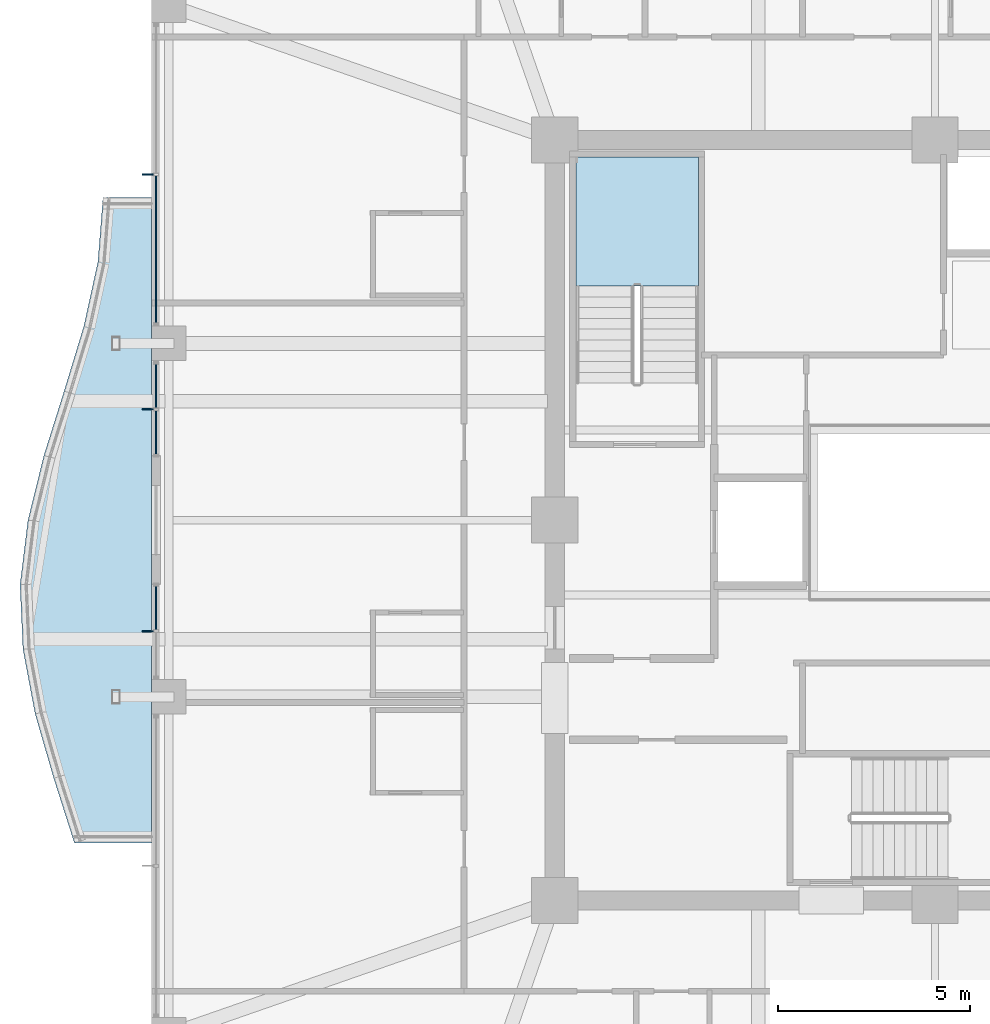
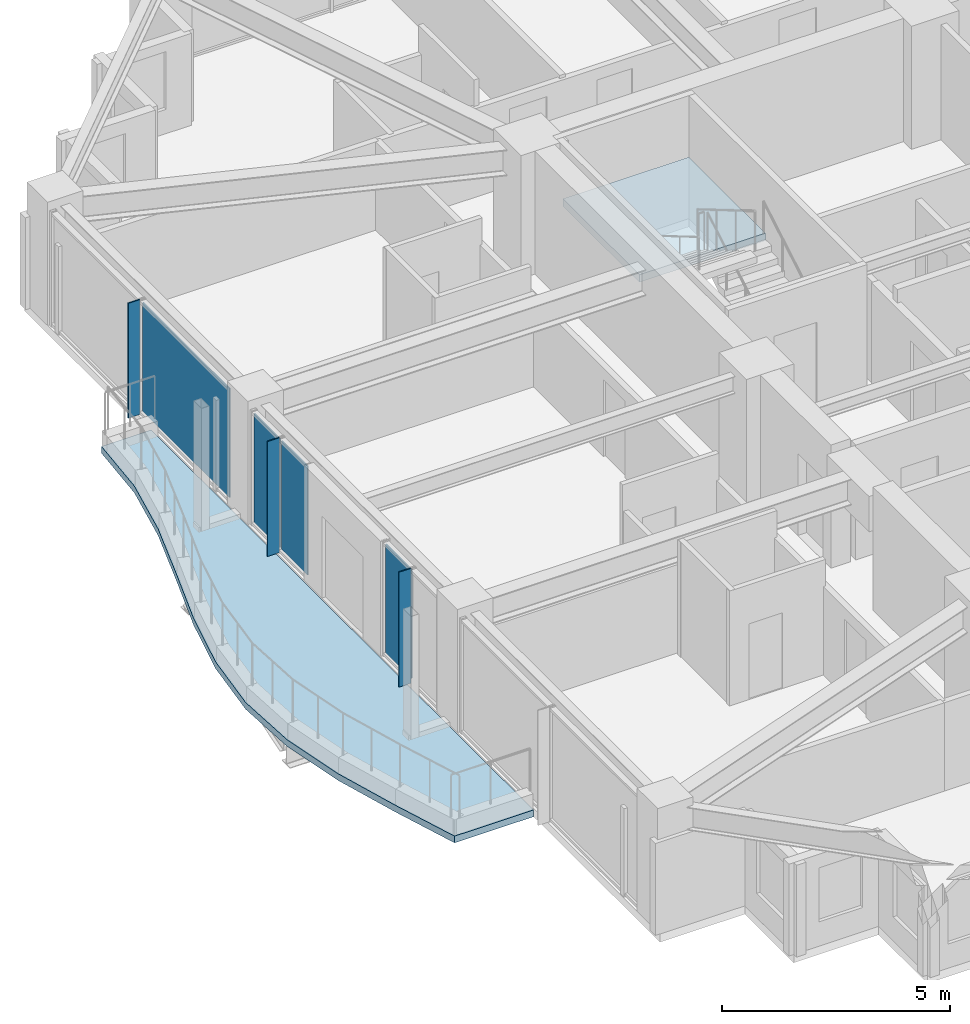
# One storey, part 24 of 35: 7 plates, 2 slabs, 4 elements without a shape of their own.
"""IFC4 building model written with IfcOpenShell, lengths in metres."""

from ifc_helpers import new_model, si_unit, direction, frame, origin, origin_2d, place, context, subcontext, project, spatial, polyline, rectangle, outline, extrude, material, layer, layer_set, type_object, element, aggregate, save


model = new_model("IFC4")

# Units and contexts
model_context = context("Model", 3, precision=1e-05, world=origin(), true_north=direction((0.0, 1.0)))
body_context = subcontext(model_context, "Body", "Model", "MODEL_VIEW")
ifc_project = project(units=[si_unit("LENGTHUNIT", "METRE"), si_unit("AREAUNIT", "SQUARE_METRE"), si_unit("VOLUMEUNIT", "CUBIC_METRE"), si_unit("PLANEANGLEUNIT", "RADIAN"), si_unit("MASSUNIT", "GRAM", prefix="KILO")], contexts=[model_context])

# Site, building, storey
site_placement = place(None, origin())
site = spatial("IfcSite", under=ifc_project, at=site_placement, CompositionType="ELEMENT")
building_placement = place(site_placement, origin())
building = spatial("IfcBuilding", under=site, at=building_placement, Name="Kolvaren Belvedere", CompositionType="ELEMENT")
storey_placement = place(building_placement, frame((0.0, 0.0, 176.699951171875)))
storey = spatial("IfcBuildingStorey", under=building, at=storey_placement, Name="L51", CompositionType="ELEMENT", Elevation=176.699951171875)

# Curtain wall, plate
ifc_material_1 = material(Name="Anodised pale-metal aluminium AA 6063-T6", Category="aluminium")
curtain_wall_type = type_object("IfcCurtainWallType", Name="CW-Z5-HIGH", PredefinedType="NOTDEFINED", material=ifc_material_1)
curtain_wall_1_placement = place(storey_placement, origin())
curtain_wall_1 = element("IfcCurtainWall", 1, at=curtain_wall_1_placement, inside=storey, type_object=curtain_wall_type, Name="L51 Unitised Curtain Wall FCW-L51-W1-B2", PredefinedType="NOTDEFINED")
ifc_material_2 = material(Name="Low-iron triple insulated glass", Category="glass")
ifc_layer_1 = layer(ifc_material_2, 0.028076171875)
ifc_layer_set_1 = layer_set([ifc_layer_1], Name="Low-iron triple insulated glass")
plate_type_1 = type_object("IfcPlateType", Name="CW-PNL-VIS28", PredefinedType="CURTAIN_PANEL", material=ifc_layer_set_1)
plate_1_placement = place(storey_placement, frame((-20.280029296875, -2.28369140625, 0.080078125), z_axis=(0.0, 0.0, 1.0), x_axis=(0.0, 1.0, 0.0)))
plate_1 = element("IfcPlate", 2, at=plate_1_placement, type_object=plate_type_1, Name="FCW-L51-W1-B2 Vision Glazing Panel 2", PredefinedType="CURTAIN_PANEL", context=body_context, shape_type="SweptSolid", body=[
    extrude(rectangle(XDim=1.12744140625, YDim=0.028076171875, at=origin_2d()), origin(), (0.0, 0.0, 1.0), 2.919921875),
])
aggregate(curtain_wall_1, [plate_1])

# Curtain wall, plates
curtain_wall_2_placement = place(storey_placement, origin())
curtain_wall_2 = element("IfcCurtainWall", 3, at=curtain_wall_2_placement, inside=storey, type_object=curtain_wall_type, Name="L51 Unitised Curtain Wall FCW-L51-W2-B1", PredefinedType="NOTDEFINED")
plate_2_placement = place(storey_placement, frame((-20.280029296875, 2.28369140625, 0.080078125), z_axis=(0.0, 0.0, 1.0), x_axis=(0.0, 1.0, 0.0)))
plate_2 = element("IfcPlate", 4, at=plate_2_placement, type_object=plate_type_1, Name="FCW-L51-W2-B1 Vision Glazing Panel 1", PredefinedType="CURTAIN_PANEL", context=body_context, shape_type="SweptSolid", body=[
    extrude(rectangle(XDim=1.12744140625, YDim=0.028076171875, at=origin_2d()), origin(), (0.0, 0.0, 1.0), 2.919921875),
])
plate_3_placement = place(storey_placement, frame((-20.280029296875, 3.4912109375, 0.080078125), z_axis=(0.0, 0.0, 1.0), x_axis=(0.0, 1.0, 0.0)))
plate_3 = element("IfcPlate", 5, at=plate_3_placement, type_object=plate_type_1, Name="FCW-L51-W2-B1 Vision Glazing Panel 2", PredefinedType="CURTAIN_PANEL", context=body_context, shape_type="SweptSolid", body=[
    extrude(rectangle(XDim=1.12744140625, YDim=0.028076171875, at=origin_2d()), origin(), (0.0, 0.0, 1.0), 2.919921875),
])
aggregate(curtain_wall_2, [plate_2, plate_3])

# Curtain wall, plate
curtain_wall_3_placement = place(storey_placement, origin())
curtain_wall_3 = element("IfcCurtainWall", 6, at=curtain_wall_3_placement, inside=storey, type_object=curtain_wall_type, Name="L51 Unitised Curtain Wall FCW-L51-W2-B2", PredefinedType="NOTDEFINED")
plate_4_placement = place(storey_placement, frame((-20.280029296875, 7.052490234375, 0.080078125), z_axis=(0.0, 0.0, 1.0), x_axis=(0.0, 1.0, 0.0)))
plate_4 = element("IfcPlate", 7, at=plate_4_placement, type_object=plate_type_1, Name="FCW-L51-W2-B2 Vision Glazing Panel 1", PredefinedType="CURTAIN_PANEL", context=body_context, shape_type="SweptSolid", body=[
    extrude(rectangle(XDim=3.81494140625, YDim=0.028076171875, at=origin_2d()), origin(), (0.0, 0.0, 1.0), 2.919921875),
])
aggregate(curtain_wall_3, [plate_4])

# Plates
ifc_material_3 = material(Name="Anodised pale-metal aluminium AA 6063-T6", Category="aluminium")
ifc_layer_2 = layer(ifc_material_3, 0.030029296875)
ifc_layer_set_2 = layer_set([ifc_layer_2], Name="Anodised pale-metal aluminium AA 6063-T6")
plate_type_2 = type_object("IfcPlateType", Name="FIN-VERT-300", PredefinedType="USERDEFINED", material=ifc_layer_set_2)
for number, where, z_axis, x_axis, name in (
    (8, (-20.489990234375, -2.887451171875, 0.0), (0.0, 0.0, 1.0), (1.0, 0.0, 0.0), "L51 Pale-Metal Vertical Shading Fin FCW-L51-W1-B2-1"),
    (9, (-20.489990234375, 2.887451171875, 0.0), (0.0, 0.0, 1.0), (1.0, 0.0, 0.0), "L51 Pale-Metal Vertical Shading Fin FCW-L51-W2-B1-1"),
    (10, (-20.489990234375, 9.0, 0.0), (0.0, 0.0, 1.0), (1.0, 0.0, 0.0), "L51 Pale-Metal Vertical Shading Fin FCW-L51-W2-B2-1"),
):
    element("IfcPlate", number, at=place(storey_placement, frame(where, z_axis=z_axis, x_axis=x_axis)), inside=storey, type_object=plate_type_2, Name=name, ObjectType="VERTICAL FIN", PredefinedType="USERDEFINED", context=body_context, shape_type="SweptSolid", body=[
        extrude(rectangle(XDim=0.300048828125, YDim=0.030029296875, at=origin_2d()), origin(), (0.0, 0.0, 1.0), 3.080078125),
    ])

# Slab
ifc_material_4 = material(Name="Concrete C50/60", Category="concrete")
ifc_layer_3 = layer(ifc_material_4, 0.179931640625)
ifc_layer_set_3 = layer_set([ifc_layer_3], Name="Concrete C50/60")
slab_type_1 = type_object("IfcSlabType", Name="SL-BAL-180", PredefinedType="FLOOR", material=ifc_layer_set_3)
slab_1_placement = place(storey_placement, frame((0.0, 0.0, -0.219970703125)))
element("IfcSlab", 11, at=slab_1_placement, inside=storey, type_object=slab_type_1, Name="L51 Planted Balcony BAL-W", PredefinedType="FLOOR", context=body_context, shape_type="SweptSolid", body=[
    extrude(outline(polyline([(-21.659912109375, 8.39990234375), (-21.793701171875, 6.719970703125), (-22.161376953125, 5.0400390625), (-22.672119140625, 3.360107421875), (-23.19970703125, 1.679931640625), (-23.61376953125, 0.0), (-23.820068359375, -1.679931640625), (-23.744140625, -3.360107421875), (-23.428466796875, -5.0400390625), (-22.9423828125, -6.719970703125), (-22.40625, -8.39990234375), (-20.39990234375, -8.39990234375), (-20.39990234375, -6.719970703125), (-20.39990234375, -5.0400390625), (-20.39990234375, -3.360107421875), (-20.39990234375, -1.679931640625), (-20.39990234375, 0.0), (-20.39990234375, 1.679931640625), (-20.39990234375, 3.360107421875), (-20.39990234375, 5.0400390625), (-20.39990234375, 6.719970703125), (-20.39990234375, 8.39990234375), (-21.659912109375, 8.39990234375)])), origin(), (0.0, 0.0, 1.0), 0.179931640625),
])

# Stair, slab
ifc_material_5 = material(Name="Concrete C50/60", Category="concrete")
stair_type = type_object("IfcStairType", Name="ST-CORE-1520", PredefinedType="HALF_TURN_STAIR", material=ifc_material_5)
stair_placement = place(storey_placement, origin())
stair = element("IfcStair", 12, at=stair_placement, inside=storey, type_object=stair_type, Name="L51 Protected Exit Stair ST-1", PredefinedType="HALF_TURN_STAIR")
ifc_material_6 = material(Name="Concrete C50/60", Category="concrete")
ifc_layer_4 = layer(ifc_material_6, 0.260009765625)
ifc_layer_set_4 = layer_set([ifc_layer_4], Name="Concrete C50/60")
slab_type_2 = type_object("IfcSlabType", Name="SL-LAND-260", PredefinedType="LANDING", material=ifc_layer_set_4)
slab_2_placement = place(storey_placement, frame((0.0, 0.0, 1.449951171875)))
slab_2 = element("IfcSlab", 13, at=slab_2_placement, type_object=slab_type_2, Name="ST-1 landing 1", PredefinedType="LANDING", context=body_context, shape_type="SweptSolid", body=[
    extrude(outline(polyline([(-6.159912109375, 6.090087890625), (-6.159912109375, 9.449951171875), (-9.35009765625, 9.449951171875), (-9.35009765625, 6.090087890625), (-6.159912109375, 6.090087890625)])), origin(), (0.0, 0.0, 1.0), 0.2001953125),
])
aggregate(stair, [slab_2])

save(model, "model.ifc")
